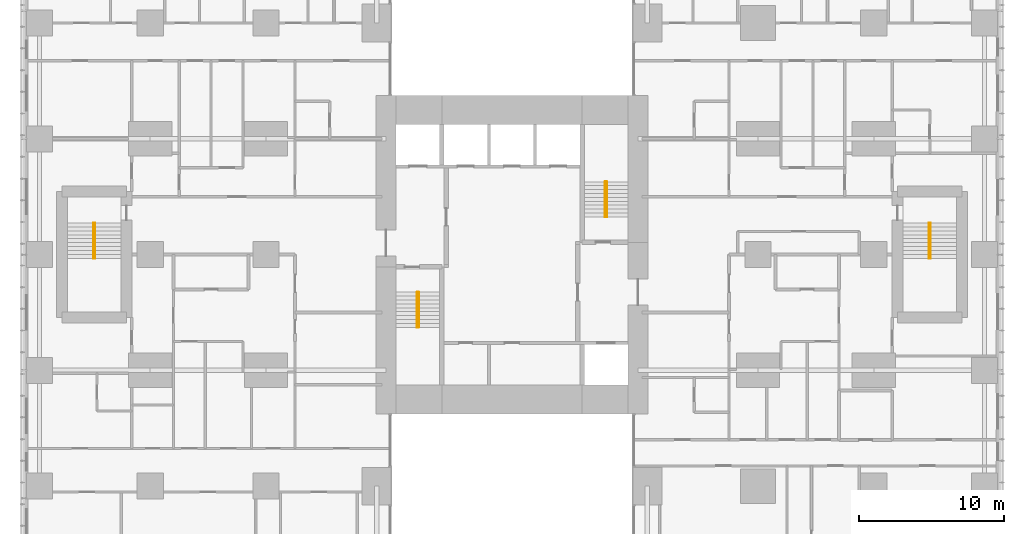
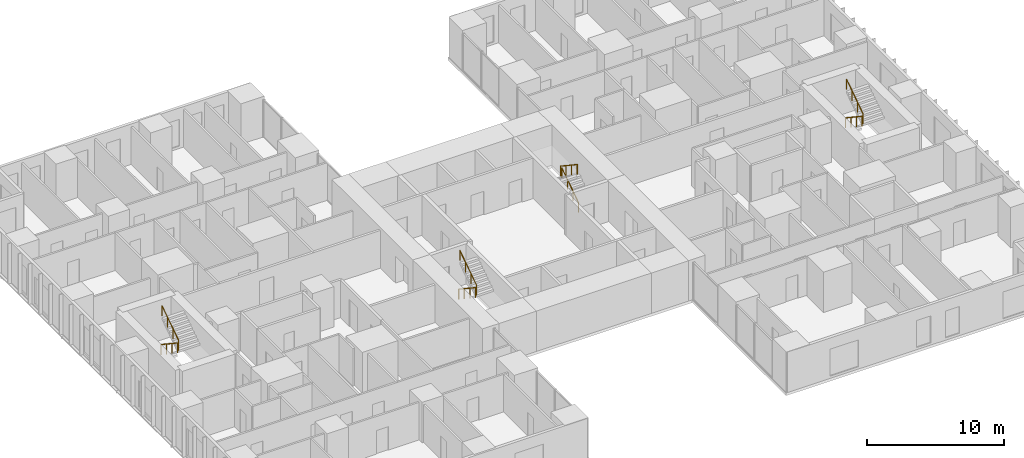
# One storey, part 20 of 20: 8 railings.
"""IFC4 building model written with IfcOpenShell, lengths in metres."""

from ifc_helpers import new_model, si_unit, direction, frame, origin, origin_2d, place, context, subcontext, project, spatial, circle, extrude, material, type_object, element, save


model = new_model("IFC4")

# Units and contexts
model_context = context("Model", 3, precision=1e-05, world=origin(), true_north=direction((0.0, 1.0)))
body_context = subcontext(model_context, "Body", "Model", "MODEL_VIEW")
ifc_project = project(units=[si_unit("LENGTHUNIT", "METRE"), si_unit("AREAUNIT", "SQUARE_METRE"), si_unit("VOLUMEUNIT", "CUBIC_METRE"), si_unit("PLANEANGLEUNIT", "RADIAN"), si_unit("MASSUNIT", "GRAM", prefix="KILO")], contexts=[model_context])

# Site, building, storey
site_placement = place(None, origin())
site = spatial("IfcSite", under=ifc_project, at=site_placement, CompositionType="ELEMENT")
building_placement = place(site_placement, origin())
building = spatial("IfcBuilding", under=site, at=building_placement, Name="Cleftline Residences", CompositionType="ELEMENT")
storey_placement = place(building_placement, frame((0.0, 0.0, 185.800048828125)))
storey = spatial("IfcBuildingStorey", under=building, at=storey_placement, Name="L48", CompositionType="ELEMENT", Elevation=185.800048828125)

# Railings
ifc_material = material(Name="Stainless steel", Category="steel")
railing_type = type_object("IfcRailingType", Name="HANDRAIL 900", PredefinedType="HANDRAIL", material=ifc_material)
railing_1_placement = place(storey_placement, frame((26.449951171875, 21.39990234375, 0.179931640625)))
element("IfcRailing", 1, at=railing_1_placement, inside=storey, type_object=railing_type, Name="Stair handrail", PredefinedType="HANDRAIL", context=body_context, shape_type="SweptSolid", body=[
    extrude(circle(Radius=0.02392578125, at=origin_2d()), frame((0.0, 0.0, 0.8759765625), z_axis=(0.0, -0.832024571796, 0.554738778101), x_axis=(1.0, 0.0, 0.0)), (0.0, 0.0, 1.0), 2.92041015625),
    extrude(circle(Radius=0.02099609375, at=origin_2d()), origin(), (0.0, 0.0, 1.0), 0.851806640625),
    extrude(circle(Radius=0.02099609375, at=origin_2d()), frame((0.0, -0.81005859375, 0.5400390625)), (0.0, 0.0, 1.0), 0.851806640625),
    extrude(circle(Radius=0.02099609375, at=origin_2d()), frame((0.0, -1.619873046875, 1.080078125)), (0.0, 0.0, 1.0), 0.851806640625),
    extrude(circle(Radius=0.02099609375, at=origin_2d()), frame((0.0, -2.429931640625, 1.6201171875)), (0.0, 0.0, 1.0), 0.851806640625),
])
railing_2_placement = place(storey_placement, frame((26.550048828125, 18.969970703125, 1.97998046875)))
element("IfcRailing", 2, at=railing_2_placement, inside=storey, type_object=railing_type, Name="Stair handrail", PredefinedType="HANDRAIL", context=body_context, shape_type="SweptSolid", body=[
    extrude(circle(Radius=0.02392578125, at=origin_2d()), frame((0.0, 0.0, 0.8759765625), z_axis=(0.0, 0.832063155534, 0.554680903946), x_axis=(-1.0, 0.0, 0.0)), (0.0, 0.0, 1.0), 2.92041015625),
    extrude(circle(Radius=0.02099609375, at=origin_2d()), origin(), (0.0, 0.0, 1.0), 0.851806640625),
    extrude(circle(Radius=0.02099609375, at=origin_2d()), frame((0.0, 0.81005859375, 0.5400390625)), (0.0, 0.0, 1.0), 0.851806640625),
    extrude(circle(Radius=0.02099609375, at=origin_2d()), frame((0.0, 1.619873046875, 1.079833984375)), (0.0, 0.0, 1.0), 0.851806640625),
    extrude(circle(Radius=0.02099609375, at=origin_2d()), frame((0.0, 2.429931640625, 1.619873046875)), (0.0, 0.0, 1.0), 0.851806640625),
])
railing_3_placement = place(storey_placement, frame((39.550048828125, 26.60009765625, 0.179931640625)))
element("IfcRailing", 3, at=railing_3_placement, inside=storey, type_object=railing_type, Name="Stair handrail", PredefinedType="HANDRAIL", context=body_context, shape_type="SweptSolid", body=[
    extrude(circle(Radius=0.02392578125, at=origin_2d()), frame((0.0, 0.0, 0.8759765625), z_axis=(0.0, 0.832024571796, 0.554738778101), x_axis=(-1.0, 0.0, 0.0)), (0.0, 0.0, 1.0), 2.92041015625),
    extrude(circle(Radius=0.02099609375, at=origin_2d()), origin(), (0.0, 0.0, 1.0), 0.851806640625),
    extrude(circle(Radius=0.02099609375, at=origin_2d()), frame((0.0, 0.81005859375, 0.5400390625)), (0.0, 0.0, 1.0), 0.851806640625),
    extrude(circle(Radius=0.02099609375, at=origin_2d()), frame((0.0, 1.619873046875, 1.080078125)), (0.0, 0.0, 1.0), 0.851806640625),
    extrude(circle(Radius=0.02099609375, at=origin_2d()), frame((0.0, 2.429931640625, 1.6201171875)), (0.0, 0.0, 1.0), 0.851806640625),
])
railing_4_placement = place(storey_placement, frame((39.449951171875, 29.030029296875, 1.97998046875)))
element("IfcRailing", 4, at=railing_4_placement, inside=storey, type_object=railing_type, Name="Stair handrail", PredefinedType="HANDRAIL", context=body_context, shape_type="SweptSolid", body=[
    extrude(circle(Radius=0.02392578125, at=origin_2d()), frame((0.0, 0.0, 0.8759765625), z_axis=(0.0, -0.832063155534, 0.554680903946), x_axis=(1.0, 0.0, 0.0)), (0.0, 0.0, 1.0), 2.92041015625),
    extrude(circle(Radius=0.02099609375, at=origin_2d()), origin(), (0.0, 0.0, 1.0), 0.851806640625),
    extrude(circle(Radius=0.02099609375, at=origin_2d()), frame((0.0, -0.81005859375, 0.5400390625)), (0.0, 0.0, 1.0), 0.851806640625),
    extrude(circle(Radius=0.02099609375, at=origin_2d()), frame((0.0, -1.619873046875, 1.079833984375)), (0.0, 0.0, 1.0), 0.851806640625),
    extrude(circle(Radius=0.02099609375, at=origin_2d()), frame((0.0, -2.429931640625, 1.619873046875)), (0.0, 0.0, 1.0), 0.851806640625),
])
railing_5_placement = place(storey_placement, frame((61.824951171875, 26.175048828125, 0.179931640625)))
element("IfcRailing", 5, at=railing_5_placement, inside=storey, type_object=railing_type, Name="Stair handrail", PredefinedType="HANDRAIL", context=body_context, shape_type="SweptSolid", body=[
    extrude(circle(Radius=0.02392578125, at=origin_2d()), frame((0.0, 0.0, 0.8759765625), z_axis=(0.0, -0.832024571796, 0.554738778101), x_axis=(1.0, 0.0, 0.0)), (0.0, 0.0, 1.0), 2.92041015625),
    extrude(circle(Radius=0.02099609375, at=origin_2d()), origin(), (0.0, 0.0, 1.0), 0.851806640625),
    extrude(circle(Radius=0.02099609375, at=origin_2d()), frame((0.0, -0.81005859375, 0.5400390625)), (0.0, 0.0, 1.0), 0.851806640625),
    extrude(circle(Radius=0.02099609375, at=origin_2d()), frame((0.0, -1.619873046875, 1.080078125)), (0.0, 0.0, 1.0), 0.851806640625),
    extrude(circle(Radius=0.02099609375, at=origin_2d()), frame((0.0, -2.429931640625, 1.6201171875)), (0.0, 0.0, 1.0), 0.851806640625),
])
railing_6_placement = place(storey_placement, frame((61.925048828125, 23.7451171875, 1.97998046875)))
element("IfcRailing", 6, at=railing_6_placement, inside=storey, type_object=railing_type, Name="Stair handrail", PredefinedType="HANDRAIL", context=body_context, shape_type="SweptSolid", body=[
    extrude(circle(Radius=0.02392578125, at=origin_2d()), frame((0.0, 0.0, 0.8759765625), z_axis=(0.0, 0.832063155534, 0.554680903946), x_axis=(-1.0, 0.0, 0.0)), (0.0, 0.0, 1.0), 2.92041015625),
    extrude(circle(Radius=0.02099609375, at=origin_2d()), origin(), (0.0, 0.0, 1.0), 0.851806640625),
    extrude(circle(Radius=0.02099609375, at=origin_2d()), frame((0.0, 0.81005859375, 0.5400390625)), (0.0, 0.0, 1.0), 0.851806640625),
    extrude(circle(Radius=0.02099609375, at=origin_2d()), frame((0.0, 1.619873046875, 1.079833984375)), (0.0, 0.0, 1.0), 0.851806640625),
    extrude(circle(Radius=0.02099609375, at=origin_2d()), frame((0.0, 2.429931640625, 1.619873046875)), (0.0, 0.0, 1.0), 0.851806640625),
])
railing_7_placement = place(storey_placement, frame((4.074951171875, 26.175048828125, 0.179931640625)))
element("IfcRailing", 7, at=railing_7_placement, inside=storey, type_object=railing_type, Name="Stair handrail", PredefinedType="HANDRAIL", context=body_context, shape_type="SweptSolid", body=[
    extrude(circle(Radius=0.02392578125, at=origin_2d()), frame((0.0, 0.0, 0.8759765625), z_axis=(0.0, -0.832024571796, 0.554738778101), x_axis=(1.0, 0.0, 0.0)), (0.0, 0.0, 1.0), 2.92041015625),
    extrude(circle(Radius=0.02099609375, at=origin_2d()), origin(), (0.0, 0.0, 1.0), 0.851806640625),
    extrude(circle(Radius=0.02099609375, at=origin_2d()), frame((0.0, -0.81005859375, 0.5400390625)), (0.0, 0.0, 1.0), 0.851806640625),
    extrude(circle(Radius=0.02099609375, at=origin_2d()), frame((0.0, -1.619873046875, 1.080078125)), (0.0, 0.0, 1.0), 0.851806640625),
    extrude(circle(Radius=0.02099609375, at=origin_2d()), frame((0.0, -2.429931640625, 1.6201171875)), (0.0, 0.0, 1.0), 0.851806640625),
])
railing_8_placement = place(storey_placement, frame((4.175048828125, 23.7451171875, 1.97998046875)))
element("IfcRailing", 8, at=railing_8_placement, inside=storey, type_object=railing_type, Name="Stair handrail", PredefinedType="HANDRAIL", context=body_context, shape_type="SweptSolid", body=[
    extrude(circle(Radius=0.02392578125, at=origin_2d()), frame((0.0, 0.0, 0.8759765625), z_axis=(0.0, 0.832063155534, 0.554680903946), x_axis=(-1.0, 0.0, 0.0)), (0.0, 0.0, 1.0), 2.92041015625),
    extrude(circle(Radius=0.02099609375, at=origin_2d()), origin(), (0.0, 0.0, 1.0), 0.851806640625),
    extrude(circle(Radius=0.02099609375, at=origin_2d()), frame((0.0, 0.81005859375, 0.5400390625)), (0.0, 0.0, 1.0), 0.851806640625),
    extrude(circle(Radius=0.02099609375, at=origin_2d()), frame((0.0, 1.619873046875, 1.079833984375)), (0.0, 0.0, 1.0), 0.851806640625),
    extrude(circle(Radius=0.02099609375, at=origin_2d()), frame((0.0, 2.429931640625, 1.619873046875)), (0.0, 0.0, 1.0), 0.851806640625),
])

save(model, "model.ifc")
